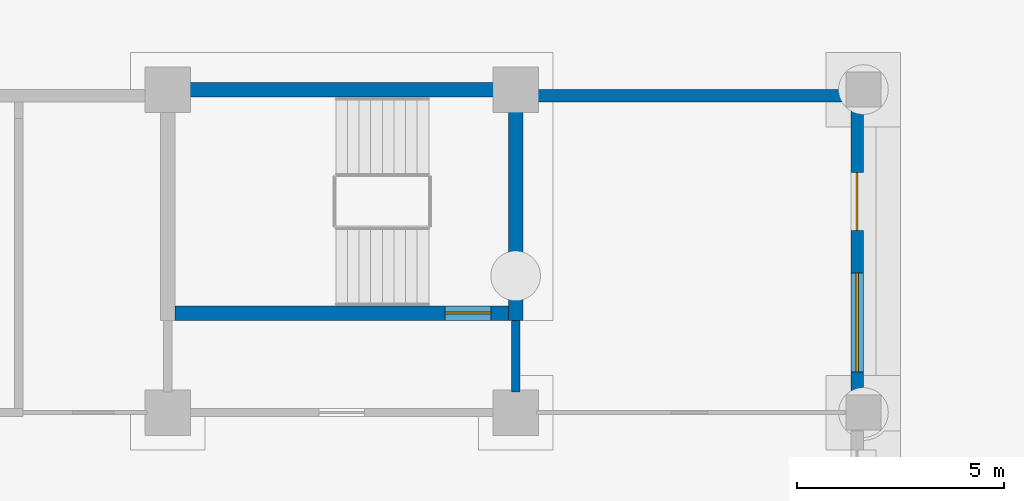
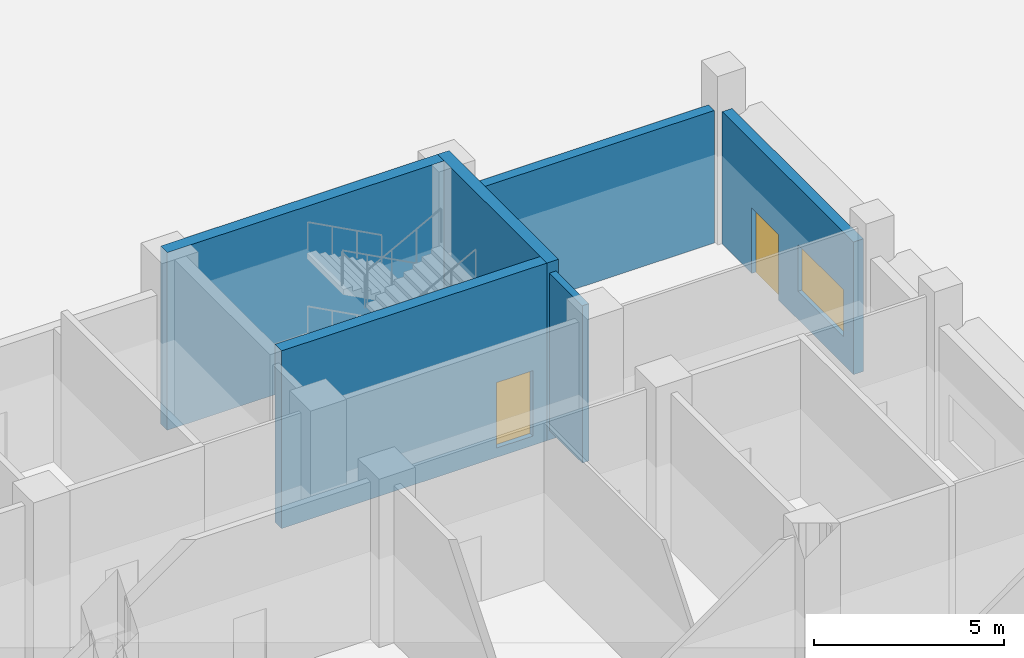
# One storey, part 93 of 146: 6 walls, 2 doors, 1 window, 3 openings.
"""IFC4 building model written with IfcOpenShell, lengths in metres."""

from ifc_helpers import new_model, si_unit, direction, frame, frame_2d, origin, place, context, subcontext, project, spatial, rectangle, extrude, material, layer, layer_set, type_object, element, fill, save


model = new_model("IFC4")

# Units and contexts
model_context = context("Model", 3, precision=1e-05, world=origin(), true_north=direction((0.0, 1.0)))
body_context = subcontext(model_context, "Body", "Model", "MODEL_VIEW")
ifc_project = project(units=[si_unit("LENGTHUNIT", "METRE"), si_unit("AREAUNIT", "SQUARE_METRE"), si_unit("VOLUMEUNIT", "CUBIC_METRE"), si_unit("PLANEANGLEUNIT", "RADIAN"), si_unit("MASSUNIT", "GRAM", prefix="KILO")], contexts=[model_context])

# Site, building, storey
site_placement = place(None, origin())
site = spatial("IfcSite", under=ifc_project, at=site_placement, CompositionType="ELEMENT")
building_placement = place(site_placement, origin())
building = spatial("IfcBuilding", under=site, at=building_placement, Name="Bougainvillea Quay General Hospital", CompositionType="ELEMENT")
storey_placement = place(building_placement, origin())
storey = spatial("IfcBuildingStorey", under=building, at=storey_placement, Name="L00", CompositionType="ELEMENT", Elevation=0.0)

# Wall, openings, door, window
ifc_material_1 = material(Name="Pale stone rainscreen cladding on insulated masonry backing, pale stone", Category="masonry")
ifc_layer_1 = layer(ifc_material_1, 0.300048828125)
ifc_layer_set_1 = layer_set([ifc_layer_1], Name="Pale stone rainscreen cladding on insulated masonry backing, pale stone")
wall_type_1 = type_object("IfcWallType", Name="External wall pale stone rainscreen 300", PredefinedType="STANDARD", material=ifc_layer_set_1)
wall_1_placement = place(storey_placement, frame((193.050048828125, 152.25, 0.0), z_axis=(0.0, 0.0, 1.0), x_axis=(0.0, 1.0, 0.0)))
wall_1 = element("IfcWall", 1, at=wall_1_placement, inside=storey, type_object=wall_type_1, Name="External wall wall/V4/L00/p0/00g", PredefinedType="STANDARD", context=body_context, shape_type="SweptSolid", body=[
    extrude(rectangle(XDim=6.89990234375, YDim=0.300048828125, at=frame_2d((3.449951171875, 0.0))), origin(), (0.0, 0.0, 1.0), 4.25),
])
opening_1_placement = place(wall_1_placement, frame((3.949951171875, 0.0, 0.0)))
opening_1 = element("IfcOpeningElement", 2, at=opening_1_placement, cuts=wall_1, Name="Opening L00.338", PredefinedType="OPENING", context=body_context, shape_type="SweptSolid", body=[
    extrude(rectangle(XDim=1.39990234375, YDim=2.10009765625, at=frame_2d((0.699951171875, 1.050048828125))), frame((0.0, 0.159912109375, 0.0), z_axis=(0.0, -1.0, 0.0), x_axis=(1.0, 0.0, 0.0)), (0.0, 0.0, 1.0), 0.320068359375),
])
opening_2_placement = place(wall_1_placement, frame((0.52490234375, 0.0, 0.89990234375)))
opening_2 = element("IfcOpeningElement", 3, at=opening_2_placement, cuts=wall_1, Name="Opening W3", PredefinedType="OPENING", context=body_context, shape_type="SweptSolid", body=[
    extrude(rectangle(XDim=2.39990234375, YDim=1.5, at=frame_2d((1.199951171875, 0.75))), frame((0.0, 0.159912109375, 0.0), z_axis=(0.0, -1.0, 0.0), x_axis=(1.0, 0.0, 0.0)), (0.0, 0.0, 1.0), 0.320068359375),
])
ifc_material_2 = material(Name="Steel door leaf, painted, with vision panel", Category="steel")
door_type_1 = type_object("IfcDoorType", Name="Stair discharge door 1400x2100", OperationType="SINGLE_SWING_LEFT", PredefinedType="DOOR", material=ifc_material_2)
door_1_placement = place(opening_1_placement, frame((1.39990234375, 0.0, 0.0), z_axis=(0.0, 0.0, 1.0), x_axis=(-1.0, 0.0, 0.0)))
door_1 = element("IfcDoor", 4, at=door_1_placement, inside=storey, type_object=door_type_1, Name="Stair discharge door ST-A4", OperationType="SINGLE_SWING_LEFT", OverallHeight=2.10009765625, OverallWidth=1.39990234375, PredefinedType="DOOR", context=body_context, shape_type="SweptSolid", body=[
    extrude(rectangle(XDim=1.39990234375, YDim=2.10009765625, at=frame_2d((0.699951171875, 1.050048828125))), frame((0.0, 0.02490234375, 0.0), z_axis=(0.0, -1.0, 0.0), x_axis=(1.0, 0.0, 0.0)), (0.0, 0.0, 1.0), 0.050048828125),
])
fill(opening_1, door_1)
ifc_material_3 = material(Name="Aluminium window frame with low-e double glazed unit", Category="aluminium")
window_type = type_object("IfcWindowType", Name="Window W3 2400x1500", PartitioningType="TRIPLE_PANEL_VERTICAL", PredefinedType="WINDOW", material=ifc_material_3)
window_placement = place(opening_2_placement, origin())
window = element("IfcWindow", 5, at=window_placement, inside=storey, type_object=window_type, Name="Window W3 1", OverallHeight=1.5, OverallWidth=2.39990234375, PartitioningType="SINGLE_PANEL", PredefinedType="WINDOW", context=body_context, shape_type="SweptSolid", body=[
    extrude(rectangle(XDim=2.39990234375, YDim=1.5, at=frame_2d((1.199951171875, 0.75))), frame((0.0, 0.030029296875, 0.0), z_axis=(0.0, -1.0, 0.0), x_axis=(1.0, 0.0, 0.0)), (0.0, 0.0, 1.0), 0.06005859375),
])
fill(opening_2, window)

# Walls
wall_2_placement = place(storey_placement, frame((192.75, 159.449951171875, 0.0), z_axis=(0.0, 0.0, 1.0), x_axis=(-1.0, 0.0, 0.0)))
element("IfcWall", 6, at=wall_2_placement, inside=storey, type_object=wall_type_1, Name="External wall wall/V4/L00/p0/01a", PredefinedType="STANDARD", context=body_context, shape_type="SweptSolid", body=[
    extrude(rectangle(XDim=7.449951171875, YDim=0.300048828125, at=frame_2d((3.72509765625, 0.0))), origin(), (0.0, 0.0, 1.0), 4.25),
])
ifc_material_4 = material(Name="Fire-rated autoclaved aerated block wall, plastered")
ifc_layer_2 = layer(ifc_material_4, 0.199951171875)
ifc_layer_set_2 = layer_set([ifc_layer_2], Name="Fire-rated autoclaved aerated block wall, plastered")
wall_type_2 = type_object("IfcWallType", Name="Partition 200 Fire-rated autoclaved aerated block wall EI 120", PredefinedType="SOLIDWALL", material=ifc_layer_set_2)
wall_3_placement = place(storey_placement, frame((184.800048828125, 152.300048828125, 0.0), z_axis=(0.0, 0.0, 1.0), x_axis=(0.0, 1.0, 0.0)))
element("IfcWall", 7, at=wall_3_placement, inside=storey, type_object=wall_type_2, Name="Partition 200 mm EI 120", PredefinedType="SOLIDWALL", context=body_context, shape_type="SweptSolid", body=[
    extrude(rectangle(XDim=1.724853515625, YDim=0.199951171875, at=frame_2d((0.8623046875, 0.0))), origin(), (0.0, 0.0, 1.0), 5.050048828125),
])
ifc_material_5 = material(Name="Concrete C40", Category="concrete")
ifc_layer_3 = layer(ifc_material_5, 0.35009765625)
ifc_layer_set_3 = layer_set([ifc_layer_3], Name="Concrete C40")
wall_type_3 = type_object("IfcWallType", Name="RC SHEAR WALL 350 C40", PredefinedType="SHEAR", material=ifc_layer_set_3)
wall_4_placement = place(storey_placement, frame((176.22509765625, 159.60009765625, -0.300048828125), z_axis=(0.0, 0.0, 1.0), x_axis=(1.0, 0.0, 0.0)))
element("IfcWall", 8, at=wall_4_placement, inside=storey, type_object=wall_type_3, Name="Shear wall L00", PredefinedType="SHEAR", context=body_context, shape_type="SweptSolid", body=[
    extrude(rectangle(XDim=8.39990234375, YDim=0.35009765625, at=frame_2d((4.199951171875, 0.0))), origin(), (0.0, 0.0, 1.0), 5.699951171875),
])

# Wall, opening, door
wall_5_placement = place(storey_placement, frame((176.574951171875, 154.199951171875, -0.300048828125), z_axis=(0.0, 0.0, 1.0), x_axis=(1.0, 0.0, 0.0)))
wall_5 = element("IfcWall", 9, at=wall_5_placement, inside=storey, type_object=wall_type_3, Name="Shear wall L00", PredefinedType="SHEAR", context=body_context, shape_type="SweptSolid", body=[
    extrude(rectangle(XDim=8.050048828125, YDim=0.35009765625, at=frame_2d((4.02490234375, 0.0))), origin(), (0.0, 0.0, 1.0), 5.699951171875),
])
opening_3_placement = place(wall_5_placement, frame((6.52490234375, 0.0, 0.300048828125)))
opening_3 = element("IfcOpeningElement", 10, at=opening_3_placement, cuts=wall_5, Name="Opening L00.022", PredefinedType="OPENING", context=body_context, shape_type="SweptSolid", body=[
    extrude(rectangle(XDim=1.10009765625, YDim=2.10009765625, at=frame_2d((0.550048828125, 1.050048828125))), frame((0.0, 0.18505859375, 0.0), z_axis=(0.0, -1.0, 0.0), x_axis=(1.0, 0.0, 0.0)), (0.0, 0.0, 1.0), 0.3701171875),
])
ifc_material_6 = material(Name="Steel fire door leaf in steel frame", Category="steel")
door_type_2 = type_object("IfcDoorType", Name="Steel single leaf door 1100x2100 FD60", OperationType="NOTDEFINED", PredefinedType="DOOR", material=ifc_material_6)
door_2_placement = place(opening_3_placement, origin())
door_2 = element("IfcDoor", 11, at=door_2_placement, inside=storey, type_object=door_type_2, Name="DT04 L00.022", OperationType="SINGLE_SWING_RIGHT", OverallHeight=2.10009765625, OverallWidth=1.10009765625, PredefinedType="DOOR", context=body_context, shape_type="SweptSolid", body=[
    extrude(rectangle(XDim=1.10009765625, YDim=2.10009765625, at=frame_2d((0.550048828125, 1.050048828125))), frame((0.0, 0.02490234375, 0.0), z_axis=(0.0, -1.0, 0.0), x_axis=(1.0, 0.0, 0.0)), (0.0, 0.0, 1.0), 0.050048828125),
])
fill(opening_3, door_2)

# Wall
wall_6_placement = place(storey_placement, frame((184.800048828125, 154.02490234375, -0.300048828125), z_axis=(0.0, 0.0, 1.0), x_axis=(0.0, 1.0, 0.0)))
element("IfcWall", 12, at=wall_6_placement, inside=storey, type_object=wall_type_3, Name="Shear wall L00", PredefinedType="SHEAR", context=body_context, shape_type="SweptSolid", body=[
    extrude(rectangle(XDim=5.75, YDim=0.35009765625, at=frame_2d((2.875, 0.0))), origin(), (0.0, 0.0, 1.0), 5.699951171875),
])

save(model, "model.ifc")
